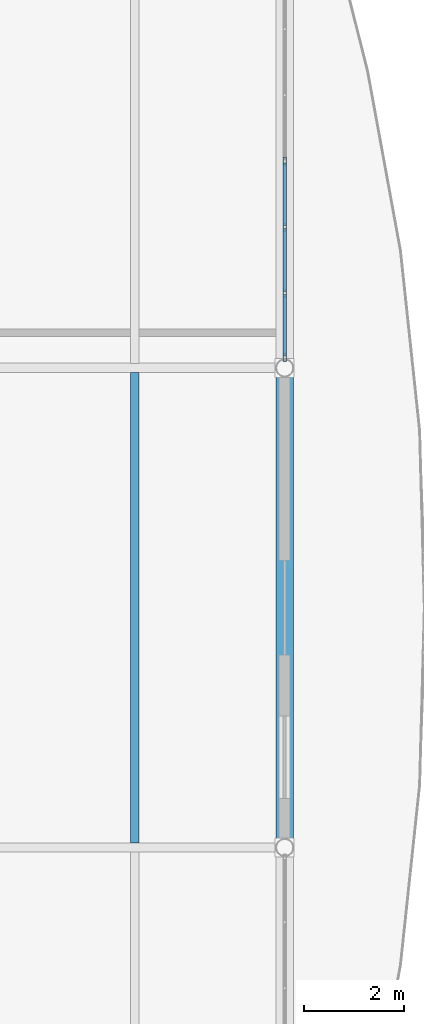
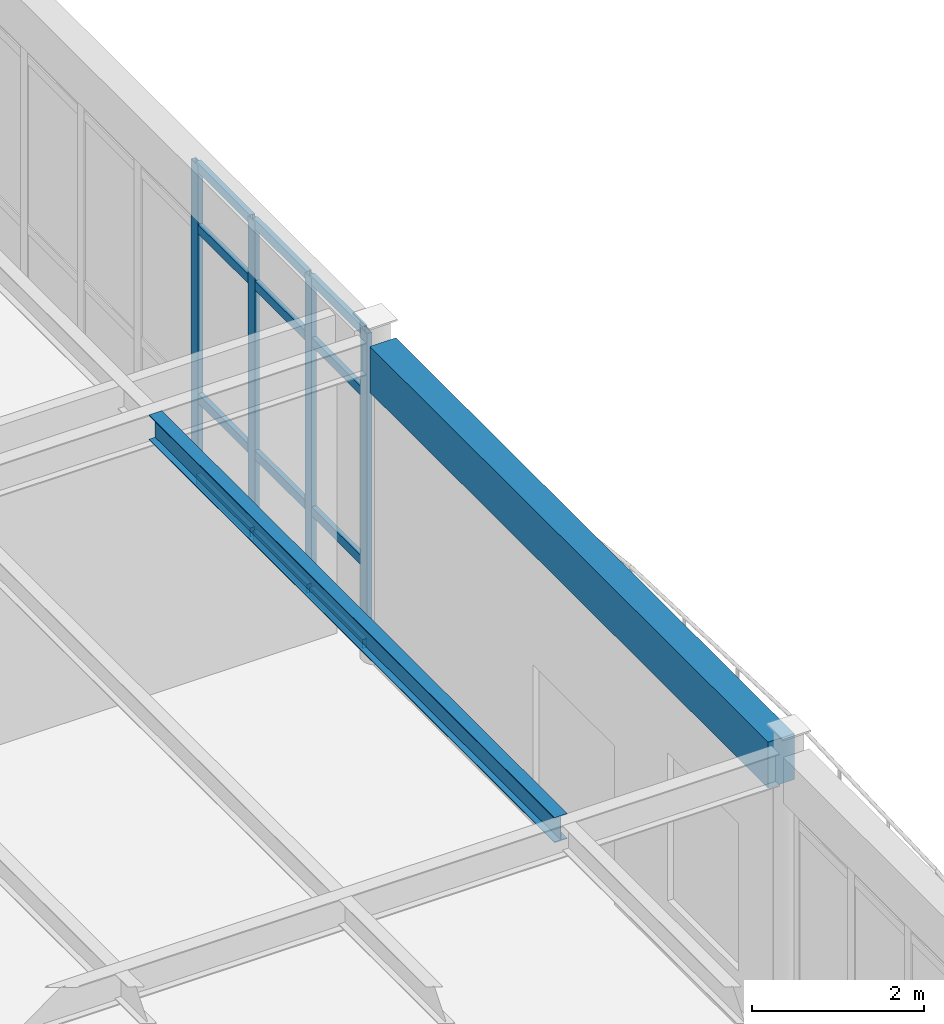
# One storey, part 25 of 236: 16 members, 2 beams, 1 element without a shape of its own.
"""IFC4 building model written with IfcOpenShell, lengths in metres."""

from ifc_helpers import new_model, si_unit, direction, frame, origin, origin_2d, place, context, subcontext, project, spatial, rectangle, hollow_rectangle, i_section, extrude, material, layer, layer_set, material_profile, profile_set, type_object, element, aggregate, save


model = new_model("IFC4")

# Units and contexts
model_context = context("Model", 3, precision=1e-05, world=origin(), true_north=direction((0.0, 1.0)))
body_context = subcontext(model_context, "Body", "Model", "MODEL_VIEW")
ifc_project = project(units=[si_unit("LENGTHUNIT", "METRE"), si_unit("AREAUNIT", "SQUARE_METRE"), si_unit("VOLUMEUNIT", "CUBIC_METRE"), si_unit("PLANEANGLEUNIT", "RADIAN"), si_unit("MASSUNIT", "GRAM", prefix="KILO")], contexts=[model_context])

# Site, building, storey
site_placement = place(None, origin())
site = spatial("IfcSite", under=ifc_project, at=site_placement, CompositionType="ELEMENT")
building_placement = place(site_placement, origin())
building = spatial("IfcBuilding", under=site, at=building_placement, Name="Pandanus Reach Market Hall", CompositionType="ELEMENT")
storey_placement = place(building_placement, frame((0.0, 0.0, 5.39990234375)))
storey = spatial("IfcBuildingStorey", under=building, at=storey_placement, Name="L01", CompositionType="ELEMENT", Elevation=5.39990234375)

# Beam
ifc_material_1 = material(Name="Concrete N40 (40 MPa)", Category="concrete")
ifc_material_profile_1 = material_profile(ifc_material_1, rectangle(XDim=0.35009765625, YDim=0.64990234375, at=origin_2d()), Name="RC350x650", Category="LoadBearing")
ifc_profile_set_1 = profile_set([ifc_material_profile_1], Name="Concrete N40 (40 MPa)")
beam_type_1 = type_object("IfcBeamType", Name="BM-RC350-E", PredefinedType="SPANDREL", material=ifc_profile_set_1)
beam_1_placement = place(storey_placement, frame((36.0, 9.77587890625, 4.22998046875), z_axis=(0.0, 1.0, 0.0), x_axis=(-1.0, 0.0, 0.0)))
element("IfcBeam", 1, at=beam_1_placement, inside=storey, type_object=beam_type_1, Name="Framing beam BM-RC350-E L01.988", PredefinedType="SPANDREL", context=body_context, shape_type="SweptSolid", body=[
    extrude(rectangle(XDim=0.35009765625, YDim=0.64990234375, at=origin_2d()), origin(), (0.0, 0.0, 1.0), 9.248291015625),
])

# Curtain wall, members
ifc_material_2 = material(Name="Bronze anodised aluminium and low-E glass", Category="aluminium")
ifc_layer = layer(ifc_material_2, 0.159912109375, Name="CW-20")
ifc_layer_set = layer_set([ifc_layer], Name="Bronze anodised aluminium and low-E glass")
curtain_wall_type = type_object("IfcCurtainWallType", Name="CW-20", PredefinedType="NOTDEFINED", material=ifc_layer_set)
curtain_wall_placement = place(storey_placement, origin())
curtain_wall = element("IfcCurtainWall", 2, at=curtain_wall_placement, inside=storey, type_object=curtain_wall_type, Name="Glazed curtain wall CW-20 CW-0062", PredefinedType="NOTDEFINED")
ifc_material_3 = material(Name="Bronze anodised aluminium", Category="aluminium")
ifc_material_profile_2 = material_profile(ifc_material_3, hollow_rectangle(XDim=0.06494140625, YDim=0.159912109375, WallThickness=0.00390625, at=origin_2d()), Name="ALU65x160", Category="LoadBearing")
ifc_profile_set_2 = profile_set([ifc_material_profile_2], Name="Bronze anodised aluminium")
member_type_1 = type_object("IfcMemberType", Name="CW-M1", PredefinedType="MULLION", material=ifc_profile_set_2)
member_1_placement = place(storey_placement, frame((36.0, 19.410400390625, 0.0), z_axis=(0.0, 0.0, 1.0), x_axis=(-1.0, 0.0, 0.0)))
member_1 = element("IfcMember", 3, at=member_1_placement, type_object=member_type_1, Name="CW-20 mullion 1", PredefinedType="MULLION", context=body_context, shape_type="SweptSolid", body=[
    extrude(hollow_rectangle(XDim=0.06494140625, YDim=0.159912109375, WallThickness=0.00390625, at=origin_2d()), origin(), (0.0, 0.0, 1.0), 4.5),
])
member_2_placement = place(storey_placement, frame((36.0, 20.698486328125, 0.0), z_axis=(0.0, 0.0, 1.0), x_axis=(-1.0, 0.0, 0.0)))
member_2 = element("IfcMember", 4, at=member_2_placement, type_object=member_type_1, Name="CW-20 mullion 2", PredefinedType="MULLION", context=body_context, shape_type="SweptSolid", body=[
    extrude(hollow_rectangle(XDim=0.06494140625, YDim=0.159912109375, WallThickness=0.00390625, at=origin_2d()), origin(), (0.0, 0.0, 1.0), 4.5),
])
member_3_placement = place(storey_placement, frame((36.0, 22.01904296875, 0.0), z_axis=(0.0, 0.0, 1.0), x_axis=(-1.0, 0.0, 0.0)))
member_3 = element("IfcMember", 5, at=member_3_placement, type_object=member_type_1, Name="CW-20 mullion 3", PredefinedType="MULLION", context=body_context, shape_type="SweptSolid", body=[
    extrude(hollow_rectangle(XDim=0.06494140625, YDim=0.159912109375, WallThickness=0.00390625, at=origin_2d()), origin(), (0.0, 0.0, 1.0), 4.5),
])
member_4_placement = place(storey_placement, frame((36.0, 23.339599609375, 0.0), z_axis=(0.0, 0.0, 1.0), x_axis=(-1.0, 0.0, 0.0)))
member_4 = element("IfcMember", 6, at=member_4_placement, type_object=member_type_1, Name="CW-20 mullion 4", PredefinedType="MULLION", context=body_context, shape_type="SweptSolid", body=[
    extrude(hollow_rectangle(XDim=0.06494140625, YDim=0.159912109375, WallThickness=0.00390625, at=origin_2d()), origin(), (0.0, 0.0, 1.0), 4.5),
])
ifc_material_profile_3 = material_profile(ifc_material_3, hollow_rectangle(XDim=0.06494140625, YDim=0.1298828125, WallThickness=0.00390625, at=origin_2d()), Name="ALU65x130", Category="LoadBearing")
ifc_profile_set_3 = profile_set([ifc_material_profile_3], Name="Bronze anodised aluminium")
member_type_2 = type_object("IfcMemberType", Name="CW-T1", PredefinedType="USERDEFINED", material=ifc_profile_set_3)
member_5_placement = place(storey_placement, frame((36.0, 19.44287109375, 0.03271484375), z_axis=(0.0, 1.0, 0.0), x_axis=(-1.0, 0.0, 0.0)))
member_5 = element("IfcMember", 7, at=member_5_placement, type_object=member_type_2, Name="CW-20 transom 1.1", ObjectType="TRANSOM", PredefinedType="USERDEFINED", context=body_context, shape_type="SweptSolid", body=[
    extrude(hollow_rectangle(XDim=0.06494140625, YDim=0.1298828125, WallThickness=0.00390625, at=origin_2d()), origin(), (0.0, 0.0, 1.0), 1.22314453125),
])
member_6_placement = place(storey_placement, frame((36.0, 19.44287109375, 1.2001953125), z_axis=(0.0, 1.0, 0.0), x_axis=(-1.0, 0.0, 0.0)))
member_6 = element("IfcMember", 8, at=member_6_placement, type_object=member_type_2, Name="CW-20 transom 1.2", ObjectType="TRANSOM", PredefinedType="USERDEFINED", context=body_context, shape_type="SweptSolid", body=[
    extrude(hollow_rectangle(XDim=0.06494140625, YDim=0.1298828125, WallThickness=0.00390625, at=origin_2d()), origin(), (0.0, 0.0, 1.0), 1.22314453125),
])
member_7_placement = place(storey_placement, frame((36.0, 19.44287109375, 3.60009765625), z_axis=(0.0, 1.0, 0.0), x_axis=(-1.0, 0.0, 0.0)))
member_7 = element("IfcMember", 9, at=member_7_placement, type_object=member_type_2, Name="CW-20 transom 1.3", ObjectType="TRANSOM", PredefinedType="USERDEFINED", context=body_context, shape_type="SweptSolid", body=[
    extrude(hollow_rectangle(XDim=0.06494140625, YDim=0.1298828125, WallThickness=0.00390625, at=origin_2d()), origin(), (0.0, 0.0, 1.0), 1.22314453125),
])
member_8_placement = place(storey_placement, frame((36.0, 19.44287109375, 4.467529296875), z_axis=(0.0, 1.0, 0.0), x_axis=(-1.0, 0.0, 0.0)))
member_8 = element("IfcMember", 10, at=member_8_placement, type_object=member_type_2, Name="CW-20 transom 1.4", ObjectType="TRANSOM", PredefinedType="USERDEFINED", context=body_context, shape_type="SweptSolid", body=[
    extrude(hollow_rectangle(XDim=0.06494140625, YDim=0.1298828125, WallThickness=0.00390625, at=origin_2d()), origin(), (0.0, 0.0, 1.0), 1.22314453125),
])
member_9_placement = place(storey_placement, frame((36.0, 20.73095703125, 0.03271484375), z_axis=(0.0, 1.0, 0.0), x_axis=(-1.0, 0.0, 0.0)))
member_9 = element("IfcMember", 11, at=member_9_placement, type_object=member_type_2, Name="CW-20 transom 2.1", ObjectType="TRANSOM", PredefinedType="USERDEFINED", context=body_context, shape_type="SweptSolid", body=[
    extrude(hollow_rectangle(XDim=0.06494140625, YDim=0.1298828125, WallThickness=0.00390625, at=origin_2d()), origin(), (0.0, 0.0, 1.0), 1.255615234375),
])
member_10_placement = place(storey_placement, frame((36.0, 20.73095703125, 1.2001953125), z_axis=(0.0, 1.0, 0.0), x_axis=(-1.0, 0.0, 0.0)))
member_10 = element("IfcMember", 12, at=member_10_placement, type_object=member_type_2, Name="CW-20 transom 2.2", ObjectType="TRANSOM", PredefinedType="USERDEFINED", context=body_context, shape_type="SweptSolid", body=[
    extrude(hollow_rectangle(XDim=0.06494140625, YDim=0.1298828125, WallThickness=0.00390625, at=origin_2d()), origin(), (0.0, 0.0, 1.0), 1.255615234375),
])
member_11_placement = place(storey_placement, frame((36.0, 20.73095703125, 3.60009765625), z_axis=(0.0, 1.0, 0.0), x_axis=(-1.0, 0.0, 0.0)))
member_11 = element("IfcMember", 13, at=member_11_placement, type_object=member_type_2, Name="CW-20 transom 2.3", ObjectType="TRANSOM", PredefinedType="USERDEFINED", context=body_context, shape_type="SweptSolid", body=[
    extrude(hollow_rectangle(XDim=0.06494140625, YDim=0.1298828125, WallThickness=0.00390625, at=origin_2d()), origin(), (0.0, 0.0, 1.0), 1.255615234375),
])
member_12_placement = place(storey_placement, frame((36.0, 20.73095703125, 4.467529296875), z_axis=(0.0, 1.0, 0.0), x_axis=(-1.0, 0.0, 0.0)))
member_12 = element("IfcMember", 14, at=member_12_placement, type_object=member_type_2, Name="CW-20 transom 2.4", ObjectType="TRANSOM", PredefinedType="USERDEFINED", context=body_context, shape_type="SweptSolid", body=[
    extrude(hollow_rectangle(XDim=0.06494140625, YDim=0.1298828125, WallThickness=0.00390625, at=origin_2d()), origin(), (0.0, 0.0, 1.0), 1.255615234375),
])
member_13_placement = place(storey_placement, frame((36.0, 22.051513671875, 0.03271484375), z_axis=(0.0, 1.0, 0.0), x_axis=(-1.0, 0.0, 0.0)))
member_13 = element("IfcMember", 15, at=member_13_placement, type_object=member_type_2, Name="CW-20 transom 3.1", ObjectType="TRANSOM", PredefinedType="USERDEFINED", context=body_context, shape_type="SweptSolid", body=[
    extrude(hollow_rectangle(XDim=0.06494140625, YDim=0.1298828125, WallThickness=0.00390625, at=origin_2d()), origin(), (0.0, 0.0, 1.0), 1.255615234375),
])
member_14_placement = place(storey_placement, frame((36.0, 22.051513671875, 1.2001953125), z_axis=(0.0, 1.0, 0.0), x_axis=(-1.0, 0.0, 0.0)))
member_14 = element("IfcMember", 16, at=member_14_placement, type_object=member_type_2, Name="CW-20 transom 3.2", ObjectType="TRANSOM", PredefinedType="USERDEFINED", context=body_context, shape_type="SweptSolid", body=[
    extrude(hollow_rectangle(XDim=0.06494140625, YDim=0.1298828125, WallThickness=0.00390625, at=origin_2d()), origin(), (0.0, 0.0, 1.0), 1.255615234375),
])
member_15_placement = place(storey_placement, frame((36.0, 22.051513671875, 3.60009765625), z_axis=(0.0, 1.0, 0.0), x_axis=(-1.0, 0.0, 0.0)))
member_15 = element("IfcMember", 17, at=member_15_placement, type_object=member_type_2, Name="CW-20 transom 3.3", ObjectType="TRANSOM", PredefinedType="USERDEFINED", context=body_context, shape_type="SweptSolid", body=[
    extrude(hollow_rectangle(XDim=0.06494140625, YDim=0.1298828125, WallThickness=0.00390625, at=origin_2d()), origin(), (0.0, 0.0, 1.0), 1.255615234375),
])
member_16_placement = place(storey_placement, frame((36.0, 22.051513671875, 4.467529296875), z_axis=(0.0, 1.0, 0.0), x_axis=(-1.0, 0.0, 0.0)))
member_16 = element("IfcMember", 18, at=member_16_placement, type_object=member_type_2, Name="CW-20 transom 3.4", ObjectType="TRANSOM", PredefinedType="USERDEFINED", context=body_context, shape_type="SweptSolid", body=[
    extrude(hollow_rectangle(XDim=0.06494140625, YDim=0.1298828125, WallThickness=0.00390625, at=origin_2d()), origin(), (0.0, 0.0, 1.0), 1.255615234375),
])
aggregate(curtain_wall, [member_1, member_2, member_3, member_4, member_5, member_6, member_7, member_8, member_9, member_10, member_11, member_12, member_13, member_14, member_15, member_16])

# Beam
ifc_material_4 = material(Name="Steel Grade 350 (350 MPa)", Category="steel")
ifc_material_profile_4 = material_profile(ifc_material_4, i_section(OverallWidth=0.1708984375, OverallDepth=0.35595703125, WebThickness=0.00732421875, FlangeThickness=0.011474609375, at=origin_2d()), Name="360UB50.7", Category="LoadBearing")
ifc_profile_set_4 = profile_set([ifc_material_profile_4], Name="Steel Grade 350 (350 MPa)")
beam_type_2 = type_object("IfcBeamType", Name="JS-UB360-I", PredefinedType="JOIST", material=ifc_profile_set_4)
beam_2_placement = place(storey_placement, frame((33.0, 9.693115234375, 4.376708984375), z_axis=(0.0, 1.0, 0.0), x_axis=(-1.0, 0.0, 0.0)))
element("IfcBeam", 19, at=beam_2_placement, inside=storey, type_object=beam_type_2, Name="Secondary joist JS-UB360-I L01.1007", PredefinedType="JOIST", context=body_context, shape_type="SweptSolid", body=[
    extrude(i_section(OverallWidth=0.1708984375, OverallDepth=0.35595703125, WebThickness=0.00732421875, FlangeThickness=0.011474609375, at=origin_2d()), origin(), (0.0, 0.0, 1.0), 9.413818359375),
])

save(model, "model.ifc")
